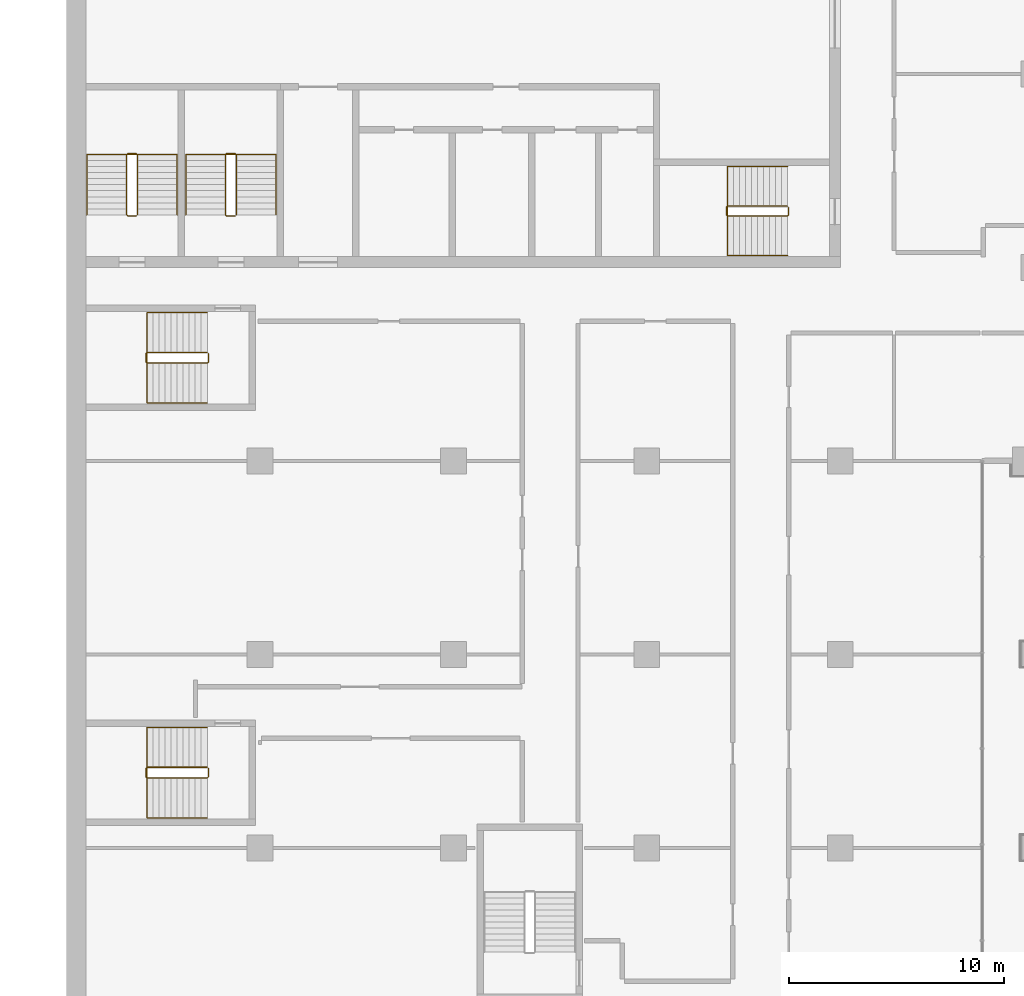
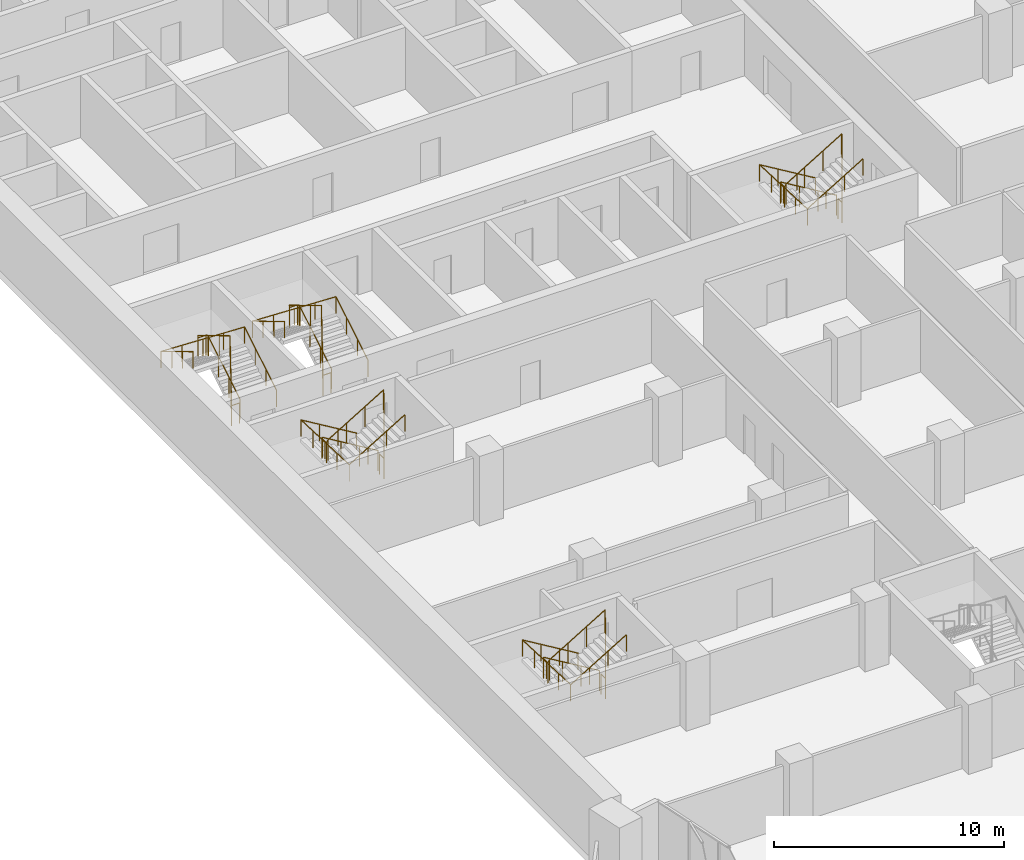
# One storey, part 21 of 23: 10 railings.
"""IFC4 building model written with IfcOpenShell, lengths in metres."""

import ifcopenshell
import ifcopenshell.guid

model = None  # the IFC model being written
_history = None  # IfcOwnerHistory: only IFC2X3 demands one
_inside = {}  # id of a spatial element -> (the spatial element, [elements in it])
_under = {}  # id of a project, library or spatial element -> (it, [spatial elements below it])
_declared = {}  # id of a project -> (the project, [libraries it declares])
_typed = {}  # id of a type object -> (the type object, [elements of that type])
_made_of = {}  # id of a material, layer set ... -> (it, [elements and type objects made of it])


def new_model(schema):
    """Start an empty IFC model of exactly this schema.

    Asked for "IFC4X3", IfcOpenShell would pick the latest addendum, in which some entities
    have other attributes; the version numbers below select the first issue.
    IFC2X3 requires an IfcOwnerHistory on every rooted entity: one is made here for all.
    """
    global model, _history
    if schema == "IFC4X3":
        model = ifcopenshell.file(schema_version=(4, 3, 0, 0))
    else:
        model = ifcopenshell.file(schema=schema)
    _inside.clear()
    _under.clear()
    _declared.clear()
    _typed.clear()
    _made_of.clear()
    _history = None
    if model.schema == "IFC2X3":
        org = make("IfcOrganization", Name="unknown")
        user = make(
            "IfcPersonAndOrganization",
            ThePerson=make("IfcPerson", FamilyName="unknown"),
            TheOrganization=org,
        )
        app = make(
            "IfcApplication",
            ApplicationDeveloper=org,
            Version="unknown",
            ApplicationFullName="unknown",
            ApplicationIdentifier="unknown",
        )
        _history = make(
            "IfcOwnerHistory",
            OwningUser=user,
            OwningApplication=app,
            ChangeAction="ADDED",
            CreationDate=0,
        )
    return model


def make(cls, **values):
    """One entity of the class cls with the attributes given. An attribute that is None is left unset."""
    return model.create_entity(
        cls, **{name: value for name, value in values.items() if value is not None}
    )


def rooted(cls, **values):
    """An entity with a GlobalId (a new one), such as an element, a storey or a relation."""
    return make(cls, GlobalId=ifcopenshell.guid.new(), OwnerHistory=_history, **values)


def si_unit(unit_type, name, prefix=None):
    """IfcSIUnit, for example si_unit("LENGTHUNIT", "METRE", prefix="MILLI")."""
    return make("IfcSIUnit", UnitType=unit_type, Prefix=prefix, Name=name)


def assignment(units):
    """IfcUnitAssignment: the units of a project."""
    return None if units is None else make("IfcUnitAssignment", Units=units)


def point(xyz):
    """IfcCartesianPoint."""
    return None if xyz is None else make("IfcCartesianPoint", Coordinates=xyz)


def direction(xyz):
    """IfcDirection."""
    return None if xyz is None else make("IfcDirection", DirectionRatios=xyz)


def frame(location, z_axis=None, x_axis=None):
    """IfcAxis2Placement3D, a coordinate frame: its origin and axes. An axis left out is left unset."""
    return make(
        "IfcAxis2Placement3D",
        Location=point(location),
        Axis=direction(z_axis),
        RefDirection=direction(x_axis),
    )


def frame_2d(location, x_axis=None):
    """IfcAxis2Placement2D, a coordinate frame in the plane: its origin and x axis."""
    return make(
        "IfcAxis2Placement2D", Location=point(location), RefDirection=direction(x_axis)
    )


def origin():
    """The frame at (0, 0, 0) with its axes left unset."""
    return frame((0.0, 0.0, 0.0))


def origin_2d():
    """The frame at (0, 0) in the plane with its x axis left unset."""
    return frame_2d((0.0, 0.0))


def place(relative_to, where):
    """IfcLocalPlacement: puts the frame where relative to a parent placement (None: the world)."""
    return make(
        "IfcLocalPlacement", PlacementRelTo=relative_to, RelativePlacement=where
    )


def context(
    kind, dimensions, precision=None, world=None, true_north=None, identifier=None
):
    """IfcGeometricRepresentationContext, for example the 3D "Model" context."""
    return make(
        "IfcGeometricRepresentationContext",
        ContextIdentifier=identifier,
        ContextType=kind,
        CoordinateSpaceDimension=dimensions,
        Precision=precision,
        WorldCoordinateSystem=world,
        TrueNorth=true_north,
    )


def subcontext(parent, identifier, kind, view, scale=None):
    """IfcGeometricRepresentationSubContext, for example "Body" below "Model"."""
    return make(
        "IfcGeometricRepresentationSubContext",
        ContextIdentifier=identifier,
        ContextType=kind,
        ParentContext=parent,
        TargetScale=scale,
        TargetView=view,
    )


def project(units=None, contexts=None):
    """IfcProject with its units and contexts."""
    return rooted(
        "IfcProject",
        Name="project",
        RepresentationContexts=contexts,
        UnitsInContext=assignment(units),
    )


def spatial(cls, under=None, at=None, **own):
    """A site, building, storey or space (cls), placed at a placement, below another one or the project."""
    s = rooted(cls, ObjectPlacement=at, **own)
    if under is not None:
        _under.setdefault(under.id(), (under, []))[1].append(s)
    return s


def profile(cls, at=None, kind="AREA", **sizes):
    """A parametric profile (cls). Its sizes go by their IFC names, for example OverallWidth=200.0."""
    return make(cls, ProfileType=kind, Position=at, **sizes)


def circle(**sizes):
    """IfcCircleProfileDef."""
    return profile("IfcCircleProfileDef", **sizes)


def extrude(swept, where, along, depth):
    """IfcExtrudedAreaSolid: the profile swept, set in the frame where, extruded along a direction by depth."""
    return make(
        "IfcExtrudedAreaSolid",
        SweptArea=swept,
        Position=where,
        ExtrudedDirection=direction(along),
        Depth=depth,
    )


def shape(context_of_items, identifier, shape_type, items):
    """IfcShapeRepresentation: the items that make up one representation, for example the "Body"."""
    return make(
        "IfcShapeRepresentation",
        ContextOfItems=context_of_items,
        RepresentationIdentifier=identifier,
        RepresentationType=shape_type,
        Items=items,
    )


def material(Name=None, Category=None):
    """IfcMaterial."""
    return make("IfcMaterial", Name=Name, Category=Category)


def made_of(thing, what):
    """Note that an element or type object is made of a material, layer set ...; save() writes the relation."""
    if what is not None:
        _made_of.setdefault(what.id(), (what, []))[1].append(thing)
    return thing


def type_object(cls, material=None, **own):
    """A type object (cls), such as IfcWallType, which elements share."""
    return made_of(rooted(cls, **own), material)


def element(
    cls,
    number,
    at=None,
    inside=None,
    cuts=None,
    type_object=None,
    material=None,
    context=None,
    identifier="Body",
    shape_type=None,
    held_by="IfcProductDefinitionShape",
    body=None,
    shapes=None,
    **own,
):
    """One element of the class cls, such as IfcWall. Its Tag is "e" and its number.

    at: its placement. inside: the storey or other place that contains it. cuts: it is an
    opening in that element (IfcRelVoidsElement). A single representation is given by context,
    identifier, shape_type and body (its items); several are given by shapes. held_by: the class
    of the entity that holds the representations. save() writes the other relations.
    """
    e = rooted(cls, Tag="e%d" % number, ObjectPlacement=at, **own)
    if body is not None:
        shapes = [shape(context, identifier, shape_type, body)]
    if shapes is not None:
        e.Representation = make(held_by, Representations=shapes)
    if inside is not None:
        _inside.setdefault(inside.id(), (inside, []))[1].append(e)
    if cuts is not None:
        rooted(
            "IfcRelVoidsElement", RelatingBuildingElement=cuts, RelatedOpeningElement=e
        )
    if type_object is not None:
        _typed.setdefault(type_object.id(), (type_object, []))[1].append(e)
    return made_of(e, material)


def aggregate(whole, parts):
    """IfcRelAggregates: a whole, such as a stair, and the parts it consists of."""
    return rooted("IfcRelAggregates", RelatingObject=whole, RelatedObjects=parts)


def save(model, path):
    """Write the relations noted so far, then the file.

    IfcRelAggregates (storeys below a building ...), IfcRelContainedInSpatialStructure (elements
    in a storey), IfcRelDefinesByType, IfcRelAssociatesMaterial and IfcRelDeclares: one each for
    every whole, place, type object, material and project.
    """
    for whole, parts in _under.values():
        aggregate(whole, parts)
    for where, things in _inside.values():
        rooted(
            "IfcRelContainedInSpatialStructure",
            RelatedElements=things,
            RelatingStructure=where,
        )
    for kind, things in _typed.values():
        rooted("IfcRelDefinesByType", RelatedObjects=things, RelatingType=kind)
    for what, things in _made_of.values():
        rooted("IfcRelAssociatesMaterial", RelatedObjects=things, RelatingMaterial=what)
    for by, libraries in _declared.values():
        rooted("IfcRelDeclares", RelatingContext=by, RelatedDefinitions=libraries)
    model.write(path)


model = new_model("IFC4")

# Units and contexts
model_context = context("Model", 3, precision=1e-05, world=origin(), true_north=direction((0.0, 1.0)))
body_context = subcontext(model_context, "Body", "Model", "MODEL_VIEW")
ifc_project = project(units=[si_unit("LENGTHUNIT", "METRE"), si_unit("AREAUNIT", "SQUARE_METRE"), si_unit("VOLUMEUNIT", "CUBIC_METRE"), si_unit("PLANEANGLEUNIT", "RADIAN"), si_unit("MASSUNIT", "GRAM", prefix="KILO")], contexts=[model_context])

# Site, building, storey
site_placement = place(None, origin())
site = spatial("IfcSite", under=ifc_project, at=site_placement, CompositionType="ELEMENT")
building_placement = place(site_placement, origin())
building = spatial("IfcBuilding", under=site, at=building_placement, Name="Hunhe Ridgeline Campus", CompositionType="ELEMENT")
storey_placement = place(building_placement, frame((0.0, 0.0, 170.800048828125)))
storey = spatial("IfcBuildingStorey", under=building, at=storey_placement, Name="L43", CompositionType="ELEMENT", Elevation=170.800048828125)

# Railings
ifc_material_1 = material(Name="Stainless steel balustrade", Category="steel")
railing_type_1 = type_object("IfcRailingType", Name="Stair guard 1100 stainless", PredefinedType="GUARDRAIL", material=ifc_material_1)
railing_1_placement = place(storey_placement, frame((33.550048828125, 65.85009765625, 0.168212890625)))
element("IfcRailing", 1, at=railing_1_placement, inside=storey, type_object=railing_type_1, Name="L43 stair S2 guard", PredefinedType="GUARDRAIL", context=body_context, shape_type="SweptSolid", body=[
    extrude(circle(Radius=0.02392578125, at=origin_2d()), frame((0.0, 0.0, 1.076171875), z_axis=(-0.857275202839, 0.0, 0.514858452973), x_axis=(0.0, -1.0, 0.0)), (0.0, 0.0, 1.0), 3.26611328125),
    extrude(circle(Radius=0.02392578125, at=origin_2d()), frame((-2.800048828125, 0.0, 2.7578125), z_axis=(-0.707106781187, -0.707106781187, 0.0), x_axis=(0.707106781187, -0.707106781187, 0.0)), (0.0, 0.0, 1.0), 0.07080078125),
    extrude(circle(Radius=0.02392578125, at=origin_2d()), frame((-2.85009765625, -0.050048828125, 2.7578125), z_axis=(0.0, -1.0, 0.0), x_axis=(1.0, 0.0, 0.0)), (0.0, 0.0, 1.0), 0.35009765625),
    extrude(circle(Radius=0.02392578125, at=origin_2d()), frame((-2.85009765625, -0.400146484375, 2.7578125), z_axis=(0.274243871929, -0.274243871929, 0.92172696468), x_axis=(0.707106781187, 0.707106781187, 0.0)), (0.0, 0.0, 1.0), 0.1826171875),
    extrude(circle(Radius=0.02392578125, at=origin_2d()), frame((-2.800048828125, -0.4501953125, 2.92578125), z_axis=(0.857242210791, 0.0, 0.514913383045), x_axis=(0.0, 1.0, 0.0)), (0.0, 0.0, 1.0), 3.266357421875),
    extrude(circle(Radius=0.02392578125, at=origin_2d()), frame((0.0, -0.4501953125, 4.60791015625), z_axis=(0.013524414389, 0.013524414389, -0.999817073484), x_axis=(-0.707106781187, 0.707106781187, 0.0)), (0.0, 0.0, 1.0), 3.70068359375),
    extrude(circle(Radius=0.02392578125, at=origin_2d()), frame((0.050048828125, -0.400146484375, 0.90771484375), z_axis=(0.0, 1.0, 0.0), x_axis=(-1.0, 0.0, 0.0)), (0.0, 0.0, 1.0), 0.35009765625),
    extrude(circle(Radius=0.02099609375, at=origin_2d()), origin(), (0.0, 0.0, 1.0), 1.052001953125),
    extrude(circle(Radius=0.02099609375, at=origin_2d()), frame((-0.933349609375, 0.0, 0.560546875)), (0.0, 0.0, 1.0), 1.052001953125),
    extrude(circle(Radius=0.02099609375, at=origin_2d()), frame((-1.86669921875, 0.0, 1.12109375)), (0.0, 0.0, 1.0), 1.052001953125),
    extrude(circle(Radius=0.02099609375, at=origin_2d()), frame((-2.800048828125, 0.0, 1.681640625)), (0.0, 0.0, 1.0), 1.052001953125),
    extrude(circle(Radius=0.02099609375, at=origin_2d()), frame((-2.85009765625, -0.050048828125, 1.681640625)), (0.0, 0.0, 1.0), 1.052001953125),
    extrude(circle(Radius=0.02099609375, at=origin_2d()), frame((-2.85009765625, -0.400146484375, 1.681640625)), (0.0, 0.0, 1.0), 1.052001953125),
    extrude(circle(Radius=0.02099609375, at=origin_2d()), frame((-2.800048828125, -0.4501953125, 1.849853515625)), (0.0, 0.0, 1.0), 1.052001953125),
    extrude(circle(Radius=0.02099609375, at=origin_2d()), frame((-1.86669921875, -0.4501953125, 2.410400390625)), (0.0, 0.0, 1.0), 1.052001953125),
    extrude(circle(Radius=0.02099609375, at=origin_2d()), frame((-0.933349609375, -0.4501953125, 2.97119140625)), (0.0, 0.0, 1.0), 1.052001953125),
    extrude(circle(Radius=0.02099609375, at=origin_2d()), frame((0.0, -0.4501953125, 3.53173828125)), (0.0, 0.0, 1.0), 1.052001953125),
    extrude(circle(Radius=0.02099609375, at=origin_2d()), frame((0.012451171875, -0.437744140625, 2.606689453125)), (0.0, 0.0, 1.0), 1.052001953125),
    extrude(circle(Radius=0.02099609375, at=origin_2d()), frame((0.02490234375, -0.42529296875, 1.681640625)), (0.0, 0.0, 1.0), 1.052001953125),
    extrude(circle(Radius=0.02099609375, at=origin_2d()), frame((0.03759765625, -0.41259765625, 0.7568359375)), (0.0, 0.0, 1.0), 1.052001953125),
    extrude(circle(Radius=0.02099609375, at=origin_2d()), frame((0.050048828125, -0.400146484375, -0.168212890625)), (0.0, 0.0, 1.0), 1.052001953125),
    extrude(circle(Radius=0.02099609375, at=origin_2d()), frame((0.050048828125, -0.050048828125, -0.168212890625)), (0.0, 0.0, 1.0), 1.052001953125),
])
railing_2_placement = place(storey_placement, frame((3.300048828125, 65.449951171875, 0.168212890625)))
element("IfcRailing", 2, at=railing_2_placement, inside=storey, type_object=railing_type_1, Name="L43 stair S3 guard", PredefinedType="GUARDRAIL", context=body_context, shape_type="SweptSolid", body=[
    extrude(circle(Radius=0.02392578125, at=origin_2d()), frame((0.0, 0.0, 1.076171875), z_axis=(0.0, 0.857275202839, 0.514858452973), x_axis=(-1.0, 0.0, 0.0)), (0.0, 0.0, 1.0), 3.26611328125),
    extrude(circle(Radius=0.02392578125, at=origin_2d()), frame((0.0, 2.800048828125, 2.7578125), z_axis=(-0.707106781187, 0.707106781187, 0.0), x_axis=(-0.707106781187, -0.707106781187, 0.0)), (0.0, 0.0, 1.0), 0.07080078125),
    extrude(circle(Radius=0.02392578125, at=origin_2d()), frame((-0.050048828125, 2.85009765625, 2.7578125), z_axis=(-1.0, 0.0, 0.0), x_axis=(0.0, -1.0, 0.0)), (0.0, 0.0, 1.0), 0.39990234375),
    extrude(circle(Radius=0.02392578125, at=origin_2d()), frame((-0.449951171875, 2.85009765625, 2.7578125), z_axis=(-0.274243871929, -0.274243871929, 0.92172696468), x_axis=(0.707106781187, -0.707106781187, 0.0)), (0.0, 0.0, 1.0), 0.1826171875),
    extrude(circle(Radius=0.02392578125, at=origin_2d()), frame((-0.5, 2.800048828125, 2.92578125), z_axis=(0.0, -0.857242210791, 0.514913383045), x_axis=(1.0, 0.0, 0.0)), (0.0, 0.0, 1.0), 3.266357421875),
    extrude(circle(Radius=0.02392578125, at=origin_2d()), frame((-0.5, 0.0, 4.60791015625), z_axis=(0.013524414389, -0.013524414389, -0.999817073484), x_axis=(0.707106781187, 0.707106781187, 0.0)), (0.0, 0.0, 1.0), 3.70068359375),
    extrude(circle(Radius=0.02392578125, at=origin_2d()), frame((-0.449951171875, -0.050048828125, 0.90771484375), z_axis=(1.0, 0.0, 0.0), x_axis=(0.0, 1.0, 0.0)), (0.0, 0.0, 1.0), 0.39990234375),
    extrude(circle(Radius=0.02099609375, at=origin_2d()), origin(), (0.0, 0.0, 1.0), 1.052001953125),
    extrude(circle(Radius=0.02099609375, at=origin_2d()), frame((0.0, 0.933349609375, 0.560546875)), (0.0, 0.0, 1.0), 1.052001953125),
    extrude(circle(Radius=0.02099609375, at=origin_2d()), frame((0.0, 1.86669921875, 1.12109375)), (0.0, 0.0, 1.0), 1.052001953125),
    extrude(circle(Radius=0.02099609375, at=origin_2d()), frame((0.0, 2.800048828125, 1.681640625)), (0.0, 0.0, 1.0), 1.052001953125),
    extrude(circle(Radius=0.02099609375, at=origin_2d()), frame((-0.050048828125, 2.85009765625, 1.681640625)), (0.0, 0.0, 1.0), 1.052001953125),
    extrude(circle(Radius=0.02099609375, at=origin_2d()), frame((-0.449951171875, 2.85009765625, 1.681640625)), (0.0, 0.0, 1.0), 1.052001953125),
    extrude(circle(Radius=0.02099609375, at=origin_2d()), frame((-0.5, 2.800048828125, 1.849853515625)), (0.0, 0.0, 1.0), 1.052001953125),
    extrude(circle(Radius=0.02099609375, at=origin_2d()), frame((-0.5, 1.86669921875, 2.410400390625)), (0.0, 0.0, 1.0), 1.052001953125),
    extrude(circle(Radius=0.02099609375, at=origin_2d()), frame((-0.5, 0.933349609375, 2.97119140625)), (0.0, 0.0, 1.0), 1.052001953125),
    extrude(circle(Radius=0.02099609375, at=origin_2d()), frame((-0.5, 0.0, 3.53173828125)), (0.0, 0.0, 1.0), 1.052001953125),
    extrude(circle(Radius=0.02099609375, at=origin_2d()), frame((-0.487548828125, -0.012451171875, 2.606689453125)), (0.0, 0.0, 1.0), 1.052001953125),
    extrude(circle(Radius=0.02099609375, at=origin_2d()), frame((-0.47509765625, -0.02490234375, 1.681640625)), (0.0, 0.0, 1.0), 1.052001953125),
    extrude(circle(Radius=0.02099609375, at=origin_2d()), frame((-0.46240234375, -0.03759765625, 0.7568359375)), (0.0, 0.0, 1.0), 1.052001953125),
    extrude(circle(Radius=0.02099609375, at=origin_2d()), frame((-0.449951171875, -0.050048828125, -0.168212890625)), (0.0, 0.0, 1.0), 1.052001953125),
    extrude(circle(Radius=0.02099609375, at=origin_2d()), frame((-0.050048828125, -0.050048828125, -0.168212890625)), (0.0, 0.0, 1.0), 1.052001953125),
])
railing_3_placement = place(storey_placement, frame((7.89990234375, 65.449951171875, 0.168212890625)))
element("IfcRailing", 3, at=railing_3_placement, inside=storey, type_object=railing_type_1, Name="L43 stair S4 guard", PredefinedType="GUARDRAIL", context=body_context, shape_type="SweptSolid", body=[
    extrude(circle(Radius=0.02392578125, at=origin_2d()), frame((0.0, 0.0, 1.076171875), z_axis=(0.0, 0.857275202839, 0.514858452973), x_axis=(-1.0, 0.0, 0.0)), (0.0, 0.0, 1.0), 3.26611328125),
    extrude(circle(Radius=0.02392578125, at=origin_2d()), frame((0.0, 2.800048828125, 2.7578125), z_axis=(-0.705375805398, 0.708833529934, 0.0), x_axis=(-0.708833529934, -0.705375805398, 0.0)), (0.0, 0.0, 1.0), 0.070556640625),
    extrude(circle(Radius=0.02392578125, at=origin_2d()), frame((-0.0498046875, 2.85009765625, 2.7578125), z_axis=(-1.0, 0.0, 0.0), x_axis=(0.0, -1.0, 0.0)), (0.0, 0.0, 1.0), 0.400146484375),
    extrude(circle(Radius=0.02392578125, at=origin_2d()), frame((-0.449951171875, 2.85009765625, 2.7578125), z_axis=(-0.274243871929, -0.274243871929, 0.92172696468), x_axis=(0.707106781187, -0.707106781187, 0.0)), (0.0, 0.0, 1.0), 0.1826171875),
    extrude(circle(Radius=0.02392578125, at=origin_2d()), frame((-0.5, 2.800048828125, 2.92578125), z_axis=(0.0, -0.857242210791, 0.514913383045), x_axis=(1.0, 0.0, 0.0)), (0.0, 0.0, 1.0), 3.266357421875),
    extrude(circle(Radius=0.02392578125, at=origin_2d()), frame((-0.5, 0.0, 4.60791015625), z_axis=(0.013524414389, -0.013524414389, -0.999817073484), x_axis=(0.707106781187, 0.707106781187, 0.0)), (0.0, 0.0, 1.0), 3.70068359375),
    extrude(circle(Radius=0.02392578125, at=origin_2d()), frame((-0.449951171875, -0.050048828125, 0.90771484375), z_axis=(1.0, 0.0, 0.0), x_axis=(0.0, 1.0, 0.0)), (0.0, 0.0, 1.0), 0.400146484375),
    extrude(circle(Radius=0.02099609375, at=origin_2d()), origin(), (0.0, 0.0, 1.0), 1.052001953125),
    extrude(circle(Radius=0.02099609375, at=origin_2d()), frame((0.0, 0.933349609375, 0.560546875)), (0.0, 0.0, 1.0), 1.052001953125),
    extrude(circle(Radius=0.02099609375, at=origin_2d()), frame((0.0, 1.86669921875, 1.12109375)), (0.0, 0.0, 1.0), 1.052001953125),
    extrude(circle(Radius=0.02099609375, at=origin_2d()), frame((0.0, 2.800048828125, 1.681640625)), (0.0, 0.0, 1.0), 1.052001953125),
    extrude(circle(Radius=0.02099609375, at=origin_2d()), frame((-0.0498046875, 2.85009765625, 1.681640625)), (0.0, 0.0, 1.0), 1.052001953125),
    extrude(circle(Radius=0.02099609375, at=origin_2d()), frame((-0.449951171875, 2.85009765625, 1.681640625)), (0.0, 0.0, 1.0), 1.052001953125),
    extrude(circle(Radius=0.02099609375, at=origin_2d()), frame((-0.5, 2.800048828125, 1.849853515625)), (0.0, 0.0, 1.0), 1.052001953125),
    extrude(circle(Radius=0.02099609375, at=origin_2d()), frame((-0.5, 1.86669921875, 2.410400390625)), (0.0, 0.0, 1.0), 1.052001953125),
    extrude(circle(Radius=0.02099609375, at=origin_2d()), frame((-0.5, 0.933349609375, 2.97119140625)), (0.0, 0.0, 1.0), 1.052001953125),
    extrude(circle(Radius=0.02099609375, at=origin_2d()), frame((-0.5, 0.0, 3.53173828125)), (0.0, 0.0, 1.0), 1.052001953125),
    extrude(circle(Radius=0.02099609375, at=origin_2d()), frame((-0.487548828125, -0.012451171875, 2.606689453125)), (0.0, 0.0, 1.0), 1.052001953125),
    extrude(circle(Radius=0.02099609375, at=origin_2d()), frame((-0.47509765625, -0.02490234375, 1.681640625)), (0.0, 0.0, 1.0), 1.052001953125),
    extrude(circle(Radius=0.02099609375, at=origin_2d()), frame((-0.46240234375, -0.03759765625, 0.7568359375)), (0.0, 0.0, 1.0), 1.052001953125),
    extrude(circle(Radius=0.02099609375, at=origin_2d()), frame((-0.449951171875, -0.050048828125, -0.168212890625)), (0.0, 0.0, 1.0), 1.052001953125),
    extrude(circle(Radius=0.02099609375, at=origin_2d()), frame((-0.0498046875, -0.050048828125, -0.168212890625)), (0.0, 0.0, 1.0), 1.052001953125),
])
railing_4_placement = place(storey_placement, frame((6.550048828125, 39.75, 0.168212890625)))
element("IfcRailing", 4, at=railing_4_placement, inside=storey, type_object=railing_type_1, Name="L43 stair W1 guard", PredefinedType="GUARDRAIL", context=body_context, shape_type="SweptSolid", body=[
    extrude(circle(Radius=0.02392578125, at=origin_2d()), frame((0.0, 0.0, 1.076171875), z_axis=(-0.857275202839, 0.0, 0.514858452973), x_axis=(0.0, -1.0, 0.0)), (0.0, 0.0, 1.0), 3.26611328125),
    extrude(circle(Radius=0.02392578125, at=origin_2d()), frame((-2.800048828125, 0.0, 2.7578125), z_axis=(-0.707106781187, -0.707106781187, 0.0), x_axis=(0.707106781187, -0.707106781187, 0.0)), (0.0, 0.0, 1.0), 0.07080078125),
    extrude(circle(Radius=0.02392578125, at=origin_2d()), frame((-2.85009765625, -0.050048828125, 2.7578125), z_axis=(0.0, -1.0, 0.0), x_axis=(1.0, 0.0, 0.0)), (0.0, 0.0, 1.0), 0.39990234375),
    extrude(circle(Radius=0.02392578125, at=origin_2d()), frame((-2.85009765625, -0.449951171875, 2.7578125), z_axis=(0.274243871929, -0.274243871929, 0.92172696468), x_axis=(0.707106781187, 0.707106781187, 0.0)), (0.0, 0.0, 1.0), 0.1826171875),
    extrude(circle(Radius=0.02392578125, at=origin_2d()), frame((-2.800048828125, -0.5, 2.92578125), z_axis=(0.857242210791, 0.0, 0.514913383045), x_axis=(0.0, 1.0, 0.0)), (0.0, 0.0, 1.0), 3.266357421875),
    extrude(circle(Radius=0.02392578125, at=origin_2d()), frame((0.0, -0.5, 4.60791015625), z_axis=(0.013524414389, 0.013524414389, -0.999817073484), x_axis=(-0.707106781187, 0.707106781187, 0.0)), (0.0, 0.0, 1.0), 3.70068359375),
    extrude(circle(Radius=0.02392578125, at=origin_2d()), frame((0.050048828125, -0.449951171875, 0.90771484375), z_axis=(0.0, 1.0, 0.0), x_axis=(-1.0, 0.0, 0.0)), (0.0, 0.0, 1.0), 0.39990234375),
    extrude(circle(Radius=0.02099609375, at=origin_2d()), origin(), (0.0, 0.0, 1.0), 1.052001953125),
    extrude(circle(Radius=0.02099609375, at=origin_2d()), frame((-0.933349609375, 0.0, 0.560546875)), (0.0, 0.0, 1.0), 1.052001953125),
    extrude(circle(Radius=0.02099609375, at=origin_2d()), frame((-1.86669921875, 0.0, 1.12109375)), (0.0, 0.0, 1.0), 1.052001953125),
    extrude(circle(Radius=0.02099609375, at=origin_2d()), frame((-2.800048828125, 0.0, 1.681640625)), (0.0, 0.0, 1.0), 1.052001953125),
    extrude(circle(Radius=0.02099609375, at=origin_2d()), frame((-2.85009765625, -0.050048828125, 1.681640625)), (0.0, 0.0, 1.0), 1.052001953125),
    extrude(circle(Radius=0.02099609375, at=origin_2d()), frame((-2.85009765625, -0.449951171875, 1.681640625)), (0.0, 0.0, 1.0), 1.052001953125),
    extrude(circle(Radius=0.02099609375, at=origin_2d()), frame((-2.800048828125, -0.5, 1.849853515625)), (0.0, 0.0, 1.0), 1.052001953125),
    extrude(circle(Radius=0.02099609375, at=origin_2d()), frame((-1.86669921875, -0.5, 2.410400390625)), (0.0, 0.0, 1.0), 1.052001953125),
    extrude(circle(Radius=0.02099609375, at=origin_2d()), frame((-0.933349609375, -0.5, 2.97119140625)), (0.0, 0.0, 1.0), 1.052001953125),
    extrude(circle(Radius=0.02099609375, at=origin_2d()), frame((0.0, -0.5, 3.53173828125)), (0.0, 0.0, 1.0), 1.052001953125),
    extrude(circle(Radius=0.02099609375, at=origin_2d()), frame((0.012451171875, -0.487548828125, 2.606689453125)), (0.0, 0.0, 1.0), 1.052001953125),
    extrude(circle(Radius=0.02099609375, at=origin_2d()), frame((0.02490234375, -0.47509765625, 1.681640625)), (0.0, 0.0, 1.0), 1.052001953125),
    extrude(circle(Radius=0.02099609375, at=origin_2d()), frame((0.03759765625, -0.46240234375, 0.7568359375)), (0.0, 0.0, 1.0), 1.052001953125),
    extrude(circle(Radius=0.02099609375, at=origin_2d()), frame((0.050048828125, -0.449951171875, -0.168212890625)), (0.0, 0.0, 1.0), 1.052001953125),
    extrude(circle(Radius=0.02099609375, at=origin_2d()), frame((0.050048828125, -0.050048828125, -0.168212890625)), (0.0, 0.0, 1.0), 1.052001953125),
])
railing_5_placement = place(storey_placement, frame((6.550048828125, 59.050048828125, 0.168212890625)))
element("IfcRailing", 5, at=railing_5_placement, inside=storey, type_object=railing_type_1, Name="L43 stair W2 guard", PredefinedType="GUARDRAIL", context=body_context, shape_type="SweptSolid", body=[
    extrude(circle(Radius=0.02392578125, at=origin_2d()), frame((0.0, 0.0, 1.076171875), z_axis=(-0.857275202839, 0.0, 0.514858452973), x_axis=(0.0, -1.0, 0.0)), (0.0, 0.0, 1.0), 3.26611328125),
    extrude(circle(Radius=0.02392578125, at=origin_2d()), frame((-2.800048828125, 0.0, 2.7578125), z_axis=(-0.707106781187, -0.707106781187, 0.0), x_axis=(0.707106781187, -0.707106781187, 0.0)), (0.0, 0.0, 1.0), 0.07080078125),
    extrude(circle(Radius=0.02392578125, at=origin_2d()), frame((-2.85009765625, -0.050048828125, 2.7578125), z_axis=(0.0, -1.0, 0.0), x_axis=(1.0, 0.0, 0.0)), (0.0, 0.0, 1.0), 0.39990234375),
    extrude(circle(Radius=0.02392578125, at=origin_2d()), frame((-2.85009765625, -0.449951171875, 2.7578125), z_axis=(0.274243871929, -0.274243871929, 0.92172696468), x_axis=(0.707106781187, 0.707106781187, 0.0)), (0.0, 0.0, 1.0), 0.1826171875),
    extrude(circle(Radius=0.02392578125, at=origin_2d()), frame((-2.800048828125, -0.5, 2.92578125), z_axis=(0.857242210791, 0.0, 0.514913383045), x_axis=(0.0, 1.0, 0.0)), (0.0, 0.0, 1.0), 3.266357421875),
    extrude(circle(Radius=0.02392578125, at=origin_2d()), frame((0.0, -0.5, 4.60791015625), z_axis=(0.013524414389, 0.013524414389, -0.999817073484), x_axis=(-0.707106781187, 0.707106781187, 0.0)), (0.0, 0.0, 1.0), 3.70068359375),
    extrude(circle(Radius=0.02392578125, at=origin_2d()), frame((0.050048828125, -0.449951171875, 0.90771484375), z_axis=(0.0, 1.0, 0.0), x_axis=(-1.0, 0.0, 0.0)), (0.0, 0.0, 1.0), 0.39990234375),
    extrude(circle(Radius=0.02099609375, at=origin_2d()), origin(), (0.0, 0.0, 1.0), 1.052001953125),
    extrude(circle(Radius=0.02099609375, at=origin_2d()), frame((-0.933349609375, 0.0, 0.560546875)), (0.0, 0.0, 1.0), 1.052001953125),
    extrude(circle(Radius=0.02099609375, at=origin_2d()), frame((-1.86669921875, 0.0, 1.12109375)), (0.0, 0.0, 1.0), 1.052001953125),
    extrude(circle(Radius=0.02099609375, at=origin_2d()), frame((-2.800048828125, 0.0, 1.681640625)), (0.0, 0.0, 1.0), 1.052001953125),
    extrude(circle(Radius=0.02099609375, at=origin_2d()), frame((-2.85009765625, -0.050048828125, 1.681640625)), (0.0, 0.0, 1.0), 1.052001953125),
    extrude(circle(Radius=0.02099609375, at=origin_2d()), frame((-2.85009765625, -0.449951171875, 1.681640625)), (0.0, 0.0, 1.0), 1.052001953125),
    extrude(circle(Radius=0.02099609375, at=origin_2d()), frame((-2.800048828125, -0.5, 1.849853515625)), (0.0, 0.0, 1.0), 1.052001953125),
    extrude(circle(Radius=0.02099609375, at=origin_2d()), frame((-1.86669921875, -0.5, 2.410400390625)), (0.0, 0.0, 1.0), 1.052001953125),
    extrude(circle(Radius=0.02099609375, at=origin_2d()), frame((-0.933349609375, -0.5, 2.97119140625)), (0.0, 0.0, 1.0), 1.052001953125),
    extrude(circle(Radius=0.02099609375, at=origin_2d()), frame((0.0, -0.5, 3.53173828125)), (0.0, 0.0, 1.0), 1.052001953125),
    extrude(circle(Radius=0.02099609375, at=origin_2d()), frame((0.012451171875, -0.487548828125, 2.606689453125)), (0.0, 0.0, 1.0), 1.052001953125),
    extrude(circle(Radius=0.02099609375, at=origin_2d()), frame((0.02490234375, -0.47509765625, 1.681640625)), (0.0, 0.0, 1.0), 1.052001953125),
    extrude(circle(Radius=0.02099609375, at=origin_2d()), frame((0.03759765625, -0.46240234375, 0.7568359375)), (0.0, 0.0, 1.0), 1.052001953125),
    extrude(circle(Radius=0.02099609375, at=origin_2d()), frame((0.050048828125, -0.449951171875, -0.168212890625)), (0.0, 0.0, 1.0), 1.052001953125),
    extrude(circle(Radius=0.02099609375, at=origin_2d()), frame((0.050048828125, -0.050048828125, -0.168212890625)), (0.0, 0.0, 1.0), 1.052001953125),
])
ifc_material_2 = material(Name="Stainless steel handrail", Category="steel")
railing_type_2 = type_object("IfcRailingType", Name="Stair handrail 900 stainless", PredefinedType="HANDRAIL", material=ifc_material_2)
railing_6_placement = place(storey_placement, frame((33.550048828125, 67.699951171875, 0.168212890625)))
element("IfcRailing", 6, at=railing_6_placement, inside=storey, type_object=railing_type_2, Name="L43 stair S2 handrail", PredefinedType="HANDRAIL", context=body_context, shape_type="SweptSolid", body=[
    extrude(circle(Radius=0.02392578125, at=origin_2d()), frame((0.0, 0.0, 0.8759765625), z_axis=(-0.857275202839, 0.0, 0.514858452973), x_axis=(0.0, -1.0, 0.0)), (0.0, 0.0, 1.0), 3.26611328125),
    extrude(circle(Radius=0.02392578125, at=origin_2d()), frame((-2.800048828125, 0.0, 2.5576171875), z_axis=(0.0, -0.99917950104, 0.040500922239), x_axis=(1.0, 0.0, 0.0)), (0.0, 0.0, 1.0), 4.1533203125),
    extrude(circle(Radius=0.02392578125, at=origin_2d()), frame((-2.800048828125, -4.14990234375, 2.7255859375), z_axis=(0.857242210791, 0.0, 0.514913383045), x_axis=(0.0, 1.0, 0.0)), (0.0, 0.0, 1.0), 3.266357421875),
    extrude(circle(Radius=0.02099609375, at=origin_2d()), origin(), (0.0, 0.0, 1.0), 0.851806640625),
    extrude(circle(Radius=0.02099609375, at=origin_2d()), frame((-0.933349609375, 0.0, 0.560546875)), (0.0, 0.0, 1.0), 0.851806640625),
    extrude(circle(Radius=0.02099609375, at=origin_2d()), frame((-1.86669921875, 0.0, 1.12109375)), (0.0, 0.0, 1.0), 0.851806640625),
    extrude(circle(Radius=0.02099609375, at=origin_2d()), frame((-2.800048828125, 0.0, 1.681640625)), (0.0, 0.0, 1.0), 0.851806640625),
    extrude(circle(Radius=0.02099609375, at=origin_2d()), frame((-2.800048828125, -1.03759765625, 1.7236328125)), (0.0, 0.0, 1.0), 0.851806640625),
    extrude(circle(Radius=0.02099609375, at=origin_2d()), frame((-2.800048828125, -2.074951171875, 1.765625)), (0.0, 0.0, 1.0), 0.851806640625),
    extrude(circle(Radius=0.02099609375, at=origin_2d()), frame((-2.800048828125, -3.1123046875, 1.807861328125)), (0.0, 0.0, 1.0), 0.851806640625),
    extrude(circle(Radius=0.02099609375, at=origin_2d()), frame((-2.800048828125, -4.14990234375, 1.849853515625)), (0.0, 0.0, 1.0), 0.851806640625),
    extrude(circle(Radius=0.02099609375, at=origin_2d()), frame((-1.86669921875, -4.14990234375, 2.410400390625)), (0.0, 0.0, 1.0), 0.851806640625),
    extrude(circle(Radius=0.02099609375, at=origin_2d()), frame((-0.933349609375, -4.14990234375, 2.97119140625)), (0.0, 0.0, 1.0), 0.851806640625),
    extrude(circle(Radius=0.02099609375, at=origin_2d()), frame((0.0, -4.14990234375, 3.53173828125)), (0.0, 0.0, 1.0), 0.851806640625),
])
railing_7_placement = place(storey_placement, frame((5.14990234375, 65.449951171875, 0.168212890625)))
element("IfcRailing", 7, at=railing_7_placement, inside=storey, type_object=railing_type_2, Name="L43 stair S3 handrail", PredefinedType="HANDRAIL", context=body_context, shape_type="SweptSolid", body=[
    extrude(circle(Radius=0.02392578125, at=origin_2d()), frame((0.0, 0.0, 0.8759765625), z_axis=(0.0, 0.857275202839, 0.514858452973), x_axis=(-1.0, 0.0, 0.0)), (0.0, 0.0, 1.0), 3.26611328125),
    extrude(circle(Radius=0.02392578125, at=origin_2d()), frame((0.0, 2.800048828125, 2.5576171875), z_axis=(-0.999198916169, 0.0, 0.040019069537), x_axis=(0.0, -1.0, 0.0)), (0.0, 0.0, 1.0), 4.203369140625),
    extrude(circle(Radius=0.02392578125, at=origin_2d()), frame((-4.199951171875, 2.800048828125, 2.7255859375), z_axis=(0.0, -0.857242210791, 0.514913383045), x_axis=(1.0, 0.0, 0.0)), (0.0, 0.0, 1.0), 3.266357421875),
    extrude(circle(Radius=0.02099609375, at=origin_2d()), origin(), (0.0, 0.0, 1.0), 0.851806640625),
    extrude(circle(Radius=0.02099609375, at=origin_2d()), frame((0.0, 0.933349609375, 0.560546875)), (0.0, 0.0, 1.0), 0.851806640625),
    extrude(circle(Radius=0.02099609375, at=origin_2d()), frame((0.0, 1.86669921875, 1.12109375)), (0.0, 0.0, 1.0), 0.851806640625),
    extrude(circle(Radius=0.02099609375, at=origin_2d()), frame((0.0, 2.800048828125, 1.681640625)), (0.0, 0.0, 1.0), 0.851806640625),
    extrude(circle(Radius=0.02099609375, at=origin_2d()), frame((-1.050048828125, 2.800048828125, 1.7236328125)), (0.0, 0.0, 1.0), 0.851806640625),
    extrude(circle(Radius=0.02099609375, at=origin_2d()), frame((-2.10009765625, 2.800048828125, 1.765625)), (0.0, 0.0, 1.0), 0.851806640625),
    extrude(circle(Radius=0.02099609375, at=origin_2d()), frame((-3.14990234375, 2.800048828125, 1.807861328125)), (0.0, 0.0, 1.0), 0.851806640625),
    extrude(circle(Radius=0.02099609375, at=origin_2d()), frame((-4.199951171875, 2.800048828125, 1.849853515625)), (0.0, 0.0, 1.0), 0.851806640625),
    extrude(circle(Radius=0.02099609375, at=origin_2d()), frame((-4.199951171875, 1.86669921875, 2.410400390625)), (0.0, 0.0, 1.0), 0.851806640625),
    extrude(circle(Radius=0.02099609375, at=origin_2d()), frame((-4.199951171875, 0.933349609375, 2.97119140625)), (0.0, 0.0, 1.0), 0.851806640625),
    extrude(circle(Radius=0.02099609375, at=origin_2d()), frame((-4.199951171875, 0.0, 3.53173828125)), (0.0, 0.0, 1.0), 0.851806640625),
])
railing_8_placement = place(storey_placement, frame((9.75, 65.449951171875, 0.168212890625)))
element("IfcRailing", 8, at=railing_8_placement, inside=storey, type_object=railing_type_2, Name="L43 stair S4 handrail", PredefinedType="HANDRAIL", context=body_context, shape_type="SweptSolid", body=[
    extrude(circle(Radius=0.02392578125, at=origin_2d()), frame((0.0, 0.0, 0.8759765625), z_axis=(0.0, 0.857275202839, 0.514858452973), x_axis=(-1.0, 0.0, 0.0)), (0.0, 0.0, 1.0), 3.26611328125),
    extrude(circle(Radius=0.02392578125, at=origin_2d()), frame((0.0, 2.800048828125, 2.5576171875), z_axis=(-0.999198916169, 0.0, 0.040019069537), x_axis=(0.0, -1.0, 0.0)), (0.0, 0.0, 1.0), 4.203369140625),
    extrude(circle(Radius=0.02392578125, at=origin_2d()), frame((-4.199951171875, 2.800048828125, 2.7255859375), z_axis=(0.0, -0.857242210791, 0.514913383045), x_axis=(1.0, 0.0, 0.0)), (0.0, 0.0, 1.0), 3.266357421875),
    extrude(circle(Radius=0.02099609375, at=origin_2d()), origin(), (0.0, 0.0, 1.0), 0.851806640625),
    extrude(circle(Radius=0.02099609375, at=origin_2d()), frame((0.0, 0.933349609375, 0.560546875)), (0.0, 0.0, 1.0), 0.851806640625),
    extrude(circle(Radius=0.02099609375, at=origin_2d()), frame((0.0, 1.86669921875, 1.12109375)), (0.0, 0.0, 1.0), 0.851806640625),
    extrude(circle(Radius=0.02099609375, at=origin_2d()), frame((0.0, 2.800048828125, 1.681640625)), (0.0, 0.0, 1.0), 0.851806640625),
    extrude(circle(Radius=0.02099609375, at=origin_2d()), frame((-1.050048828125, 2.800048828125, 1.7236328125)), (0.0, 0.0, 1.0), 0.851806640625),
    extrude(circle(Radius=0.02099609375, at=origin_2d()), frame((-2.10009765625, 2.800048828125, 1.765625)), (0.0, 0.0, 1.0), 0.851806640625),
    extrude(circle(Radius=0.02099609375, at=origin_2d()), frame((-3.14990234375, 2.800048828125, 1.807861328125)), (0.0, 0.0, 1.0), 0.851806640625),
    extrude(circle(Radius=0.02099609375, at=origin_2d()), frame((-4.199951171875, 2.800048828125, 1.849853515625)), (0.0, 0.0, 1.0), 0.851806640625),
    extrude(circle(Radius=0.02099609375, at=origin_2d()), frame((-4.199951171875, 1.86669921875, 2.410400390625)), (0.0, 0.0, 1.0), 0.851806640625),
    extrude(circle(Radius=0.02099609375, at=origin_2d()), frame((-4.199951171875, 0.933349609375, 2.97119140625)), (0.0, 0.0, 1.0), 0.851806640625),
    extrude(circle(Radius=0.02099609375, at=origin_2d()), frame((-4.199951171875, 0.0, 3.53173828125)), (0.0, 0.0, 1.0), 0.851806640625),
])
railing_9_placement = place(storey_placement, frame((6.550048828125, 41.60009765625, 0.168212890625)))
element("IfcRailing", 9, at=railing_9_placement, inside=storey, type_object=railing_type_2, Name="L43 stair W1 handrail", PredefinedType="HANDRAIL", context=body_context, shape_type="SweptSolid", body=[
    extrude(circle(Radius=0.02392578125, at=origin_2d()), frame((0.0, 0.0, 0.8759765625), z_axis=(-0.857275202839, 0.0, 0.514858452973), x_axis=(0.0, -1.0, 0.0)), (0.0, 0.0, 1.0), 3.26611328125),
    extrude(circle(Radius=0.02392578125, at=origin_2d()), frame((-2.800048828125, 0.0, 2.5576171875), z_axis=(0.0, -0.999199009182, 0.040016747113), x_axis=(1.0, 0.0, 0.0)), (0.0, 0.0, 1.0), 4.20361328125),
    extrude(circle(Radius=0.02392578125, at=origin_2d()), frame((-2.800048828125, -4.2001953125, 2.7255859375), z_axis=(0.857242210791, 0.0, 0.514913383045), x_axis=(0.0, 1.0, 0.0)), (0.0, 0.0, 1.0), 3.266357421875),
    extrude(circle(Radius=0.02099609375, at=origin_2d()), origin(), (0.0, 0.0, 1.0), 0.851806640625),
    extrude(circle(Radius=0.02099609375, at=origin_2d()), frame((-0.933349609375, 0.0, 0.560546875)), (0.0, 0.0, 1.0), 0.851806640625),
    extrude(circle(Radius=0.02099609375, at=origin_2d()), frame((-1.86669921875, 0.0, 1.12109375)), (0.0, 0.0, 1.0), 0.851806640625),
    extrude(circle(Radius=0.02099609375, at=origin_2d()), frame((-2.800048828125, 0.0, 1.681640625)), (0.0, 0.0, 1.0), 0.851806640625),
    extrude(circle(Radius=0.02099609375, at=origin_2d()), frame((-2.800048828125, -1.050048828125, 1.7236328125)), (0.0, 0.0, 1.0), 0.851806640625),
    extrude(circle(Radius=0.02099609375, at=origin_2d()), frame((-2.800048828125, -2.10009765625, 1.765625)), (0.0, 0.0, 1.0), 0.851806640625),
    extrude(circle(Radius=0.02099609375, at=origin_2d()), frame((-2.800048828125, -3.150146484375, 1.807861328125)), (0.0, 0.0, 1.0), 0.851806640625),
    extrude(circle(Radius=0.02099609375, at=origin_2d()), frame((-2.800048828125, -4.2001953125, 1.849853515625)), (0.0, 0.0, 1.0), 0.851806640625),
    extrude(circle(Radius=0.02099609375, at=origin_2d()), frame((-1.86669921875, -4.2001953125, 2.410400390625)), (0.0, 0.0, 1.0), 0.851806640625),
    extrude(circle(Radius=0.02099609375, at=origin_2d()), frame((-0.933349609375, -4.2001953125, 2.97119140625)), (0.0, 0.0, 1.0), 0.851806640625),
    extrude(circle(Radius=0.02099609375, at=origin_2d()), frame((0.0, -4.2001953125, 3.53173828125)), (0.0, 0.0, 1.0), 0.851806640625),
])
railing_10_placement = place(storey_placement, frame((6.550048828125, 60.89990234375, 0.168212890625)))
element("IfcRailing", 10, at=railing_10_placement, inside=storey, type_object=railing_type_2, Name="L43 stair W2 handrail", PredefinedType="HANDRAIL", context=body_context, shape_type="SweptSolid", body=[
    extrude(circle(Radius=0.02392578125, at=origin_2d()), frame((0.0, 0.0, 0.8759765625), z_axis=(-0.857275202839, 0.0, 0.514858452973), x_axis=(0.0, -1.0, 0.0)), (0.0, 0.0, 1.0), 3.26611328125),
    extrude(circle(Radius=0.02392578125, at=origin_2d()), frame((-2.800048828125, 0.0, 2.5576171875), z_axis=(0.0, -0.999198916169, 0.040019069537), x_axis=(1.0, 0.0, 0.0)), (0.0, 0.0, 1.0), 4.203369140625),
    extrude(circle(Radius=0.02392578125, at=origin_2d()), frame((-2.800048828125, -4.199951171875, 2.7255859375), z_axis=(0.857242210791, 0.0, 0.514913383045), x_axis=(0.0, 1.0, 0.0)), (0.0, 0.0, 1.0), 3.266357421875),
    extrude(circle(Radius=0.02099609375, at=origin_2d()), origin(), (0.0, 0.0, 1.0), 0.851806640625),
    extrude(circle(Radius=0.02099609375, at=origin_2d()), frame((-0.933349609375, 0.0, 0.560546875)), (0.0, 0.0, 1.0), 0.851806640625),
    extrude(circle(Radius=0.02099609375, at=origin_2d()), frame((-1.86669921875, 0.0, 1.12109375)), (0.0, 0.0, 1.0), 0.851806640625),
    extrude(circle(Radius=0.02099609375, at=origin_2d()), frame((-2.800048828125, 0.0, 1.681640625)), (0.0, 0.0, 1.0), 0.851806640625),
    extrude(circle(Radius=0.02099609375, at=origin_2d()), frame((-2.800048828125, -1.050048828125, 1.7236328125)), (0.0, 0.0, 1.0), 0.851806640625),
    extrude(circle(Radius=0.02099609375, at=origin_2d()), frame((-2.800048828125, -2.10009765625, 1.765625)), (0.0, 0.0, 1.0), 0.851806640625),
    extrude(circle(Radius=0.02099609375, at=origin_2d()), frame((-2.800048828125, -3.14990234375, 1.807861328125)), (0.0, 0.0, 1.0), 0.851806640625),
    extrude(circle(Radius=0.02099609375, at=origin_2d()), frame((-2.800048828125, -4.199951171875, 1.849853515625)), (0.0, 0.0, 1.0), 0.851806640625),
    extrude(circle(Radius=0.02099609375, at=origin_2d()), frame((-1.86669921875, -4.199951171875, 2.410400390625)), (0.0, 0.0, 1.0), 0.851806640625),
    extrude(circle(Radius=0.02099609375, at=origin_2d()), frame((-0.933349609375, -4.199951171875, 2.97119140625)), (0.0, 0.0, 1.0), 0.851806640625),
    extrude(circle(Radius=0.02099609375, at=origin_2d()), frame((0.0, -4.199951171875, 3.53173828125)), (0.0, 0.0, 1.0), 0.851806640625),
])

save(model, "model.ifc")
